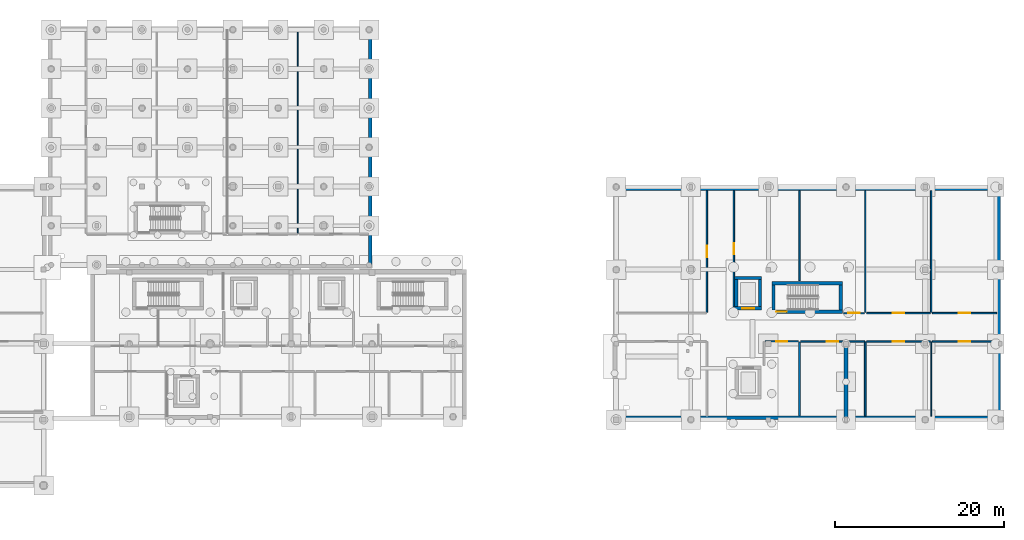
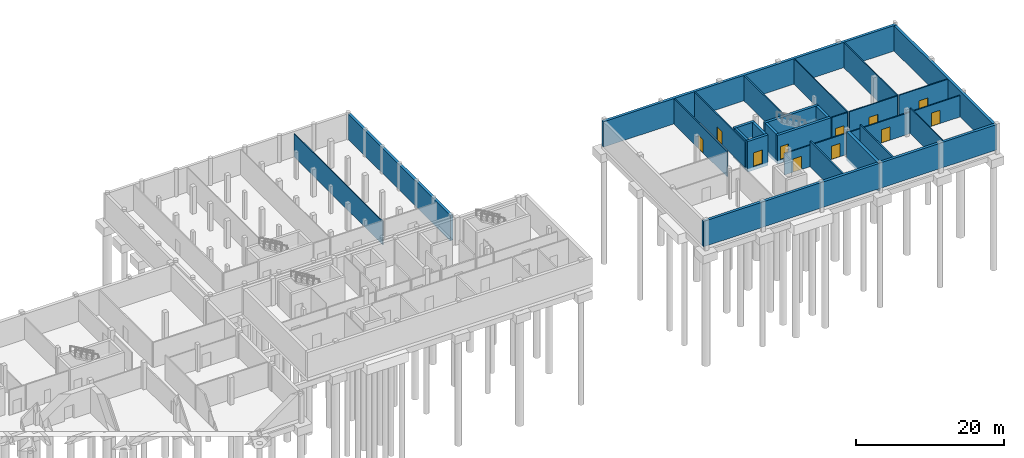
# One storey, part 9 of 14: 29 walls, 11 doors, 11 openings.
"""IFC4 building model written with IfcOpenShell, lengths in metres."""

from ifc_helpers import new_model, si_unit, direction, frame, frame_2d, origin, place, context, subcontext, project, spatial, rectangle, extrude, material, layer, layer_set, type_object, element, fill, save


model = new_model("IFC4")

# Units and contexts
model_context = context("Model", 3, precision=1e-05, world=origin(), true_north=direction((0.0, 1.0)))
body_context = subcontext(model_context, "Body", "Model", "MODEL_VIEW")
ifc_project = project(units=[si_unit("LENGTHUNIT", "METRE"), si_unit("AREAUNIT", "SQUARE_METRE"), si_unit("VOLUMEUNIT", "CUBIC_METRE"), si_unit("PLANEANGLEUNIT", "RADIAN"), si_unit("MASSUNIT", "GRAM", prefix="KILO")], contexts=[model_context])

# Site, building, storey
site_placement = place(None, origin())
site = spatial("IfcSite", under=ifc_project, at=site_placement, CompositionType="ELEMENT")
building_placement = place(site_placement, origin())
building = spatial("IfcBuilding", under=site, at=building_placement, Name="Birchvale Park Specialist Clinic", CompositionType="ELEMENT")
storey_placement = place(building_placement, frame((0.0, 0.0, -4.5)))
storey = spatial("IfcBuildingStorey", under=building, at=storey_placement, Name="B1", CompositionType="ELEMENT", Elevation=-4.5)

# Wall, opening, door
ifc_material_1 = material(Name="Concrete C40/50", Category="concrete")
ifc_layer_1 = layer(ifc_material_1, 0.39990234375)
ifc_layer_set_1 = layer_set([ifc_layer_1], Name="Concrete C40/50")
wall_type_1 = type_object("IfcWallType", Name="WL-CW-120", PredefinedType="SHEAR", material=ifc_layer_set_1)
wall_1_placement = place(storey_placement, frame((137.60009765625, 29.60009765625, -0.550048828125), z_axis=(0.0, 0.0, 1.0), x_axis=(1.0, 0.0, 0.0)))
wall_1 = element("IfcWall", 1, at=wall_1_placement, inside=storey, type_object=wall_type_1, Name="B1 stair ST6 EI 120 enclosure wall (south)", PredefinedType="SHEAR", context=body_context, shape_type="SweptSolid", body=[
    extrude(rectangle(XDim=8.39990234375, YDim=0.39990234375, at=frame_2d((4.199951171875, 0.0))), origin(), (0.0, 0.0, 1.0), 4.75),
])
opening_1_placement = place(wall_1_placement, frame((0.52001953125, 0.0, 0.550048828125)))
opening_1 = element("IfcOpeningElement", 2, at=opening_1_placement, cuts=wall_1, Name="Opening ID-FD60", PredefinedType="OPENING", context=body_context, shape_type="SweptSolid", body=[
    extrude(rectangle(XDim=1.25, YDim=2.199951171875, at=frame_2d((0.625, 1.10009765625))), frame((0.0, 0.2099609375, 0.0), z_axis=(0.0, -1.0, 0.0), x_axis=(1.0, 0.0, 0.0)), (0.0, 0.0, 1.0), 0.419921875),
])
ifc_material_2 = material(Name="Solid-core birch veneer and anodised aluminium", Category="aluminium")
door_type_1 = type_object("IfcDoorType", Name="DR-ID-FD60", OperationType="NOTDEFINED", PredefinedType="DOOR", material=ifc_material_2)
door_1_placement = place(opening_1_placement, origin())
door_1 = element("IfcDoor", 3, at=door_1_placement, inside=storey, type_object=door_type_1, Name="B1 stair ST6 fire door", OperationType="SINGLE_SWING_RIGHT", OverallHeight=2.199951171875, OverallWidth=1.25, PredefinedType="DOOR", context=body_context, shape_type="SweptSolid", body=[
    extrude(rectangle(XDim=1.25, YDim=2.199951171875, at=frame_2d((0.625, 1.10009765625))), frame((0.0, 0.02490234375, 0.0), z_axis=(0.0, -1.0, 0.0), x_axis=(1.0, 0.0, 0.0)), (0.0, 0.0, 1.0), 0.050048828125),
])
fill(opening_1, door_1)

# Walls
wall_2_placement = place(storey_placement, frame((146.0, 33.0, -0.550048828125), z_axis=(0.0, 0.0, 1.0), x_axis=(-1.0, 0.0, 0.0)))
element("IfcWall", 4, at=wall_2_placement, inside=storey, type_object=wall_type_1, Name="B1 stair ST6 EI 120 enclosure wall (north)", PredefinedType="SHEAR", context=body_context, shape_type="SweptSolid", body=[
    extrude(rectangle(XDim=8.39990234375, YDim=0.39990234375, at=frame_2d((4.199951171875, 0.0))), origin(), (0.0, 0.0, 1.0), 4.75),
])
for number, where, z_axis, x_axis, name in (
    (5, (137.800048828125, 29.800048828125, -0.550048828125), (0.0, 0.0, 1.0), (0.0, 1.0, 0.0), "B1 stair ST6 EI 120 enclosure wall (west)"),
    (6, (145.800048828125, 32.800048828125, -0.550048828125), (0.0, 0.0, 1.0), (0.0, -1.0, 0.0), "B1 stair ST6 EI 120 enclosure wall (east)"),
):
    element("IfcWall", number, at=place(storey_placement, frame(where, z_axis=z_axis, x_axis=x_axis)), inside=storey, type_object=wall_type_1, Name=name, PredefinedType="SHEAR", context=body_context, shape_type="SweptSolid", body=[
        extrude(rectangle(XDim=3.0, YDim=0.39990234375, at=frame_2d((1.5, 0.0))), origin(), (0.0, 0.0, 1.0), 4.75),
    ])

# Wall, opening, door
wall_3_placement = place(storey_placement, frame((133.199951171875, 30.0, -0.550048828125), z_axis=(0.0, 0.0, 1.0), x_axis=(1.0, 0.0, 0.0)))
wall_3 = element("IfcWall", 7, at=wall_3_placement, inside=storey, type_object=wall_type_1, Name="B1 lift LS2 shaft wall (south)", PredefinedType="SHEAR", context=body_context, shape_type="SweptSolid", body=[
    extrude(rectangle(XDim=3.199951171875, YDim=0.39990234375, at=frame_2d((1.60009765625, 0.0))), origin(), (0.0, 0.0, 1.0), 5.050048828125),
])
opening_2_placement = place(wall_3_placement, frame((0.89990234375, 0.0, 0.550048828125)))
opening_2 = element("IfcOpeningElement", 8, at=opening_2_placement, cuts=wall_3, Name="Opening LD-03", PredefinedType="OPENING", context=body_context, shape_type="SweptSolid", body=[
    extrude(rectangle(XDim=1.39990234375, YDim=2.300048828125, at=frame_2d((0.699951171875, 1.14990234375))), frame((0.0, 0.2099609375, 0.0), z_axis=(0.0, -1.0, 0.0), x_axis=(1.0, 0.0, 0.0)), (0.0, 0.0, 1.0), 0.419921875),
])
door_type_2 = type_object("IfcDoorType", Name="DR-LD-03", OperationType="DOUBLE_DOOR_SLIDING", PredefinedType="DOOR", material=ifc_material_2)
door_2_placement = place(opening_2_placement, origin())
door_2 = element("IfcDoor", 9, at=door_2_placement, inside=storey, type_object=door_type_2, Name="B1 lift LS2 sliding landing door", OperationType="DOUBLE_DOOR_SLIDING", OverallHeight=2.300048828125, OverallWidth=1.39990234375, PredefinedType="DOOR", context=body_context, shape_type="SweptSolid", body=[
    extrude(rectangle(XDim=1.39990234375, YDim=2.300048828125, at=frame_2d((0.699951171875, 1.14990234375))), frame((0.0, 0.02490234375, 0.0), z_axis=(0.0, -1.0, 0.0), x_axis=(1.0, 0.0, 0.0)), (0.0, 0.0, 1.0), 0.050048828125),
])
fill(opening_2, door_2)

# Walls
for number, where, z_axis, x_axis, name in (
    (10, (136.39990234375, 33.60009765625, -0.550048828125), (0.0, 0.0, 1.0), (-1.0, 0.0, 0.0), "B1 lift LS2 shaft wall (north)"),
    (11, (133.39990234375, 30.199951171875, -0.550048828125), (0.0, 0.0, 1.0), (0.0, 1.0, 0.0), "B1 lift LS2 shaft wall (west)"),
    (12, (136.199951171875, 33.39990234375, -0.550048828125), (0.0, 0.0, 1.0), (0.0, -1.0, 0.0), "B1 lift LS2 shaft wall (east)"),
):
    element("IfcWall", number, at=place(storey_placement, frame(where, z_axis=z_axis, x_axis=x_axis)), inside=storey, type_object=wall_type_1, Name=name, PredefinedType="SHEAR", context=body_context, shape_type="SweptSolid", body=[
        extrude(rectangle(XDim=3.199951171875, YDim=0.39990234375, at=frame_2d((1.60009765625, 0.0))), origin(), (0.0, 0.0, 1.0), 5.050048828125),
    ])
ifc_material_3 = material(Name="Acoustic gypsum board on metal framing")
ifc_layer_2 = layer(ifc_material_3, 0.1650390625)
ifc_layer_set_2 = layer_set([ifc_layer_2], Name="Acoustic gypsum board on metal framing")
wall_type_2 = type_object("IfcWallType", Name="WL-IW-01", PredefinedType="PARTITIONING", material=ifc_layer_set_2)
wall_4_placement = place(storey_placement, frame((156.489990234375, 43.9599609375, 0.0), z_axis=(0.0, 0.0, 1.0), x_axis=(0.0, -1.0, 0.0)))
element("IfcWall", 13, at=wall_4_placement, inside=storey, type_object=wall_type_2, Name="V5 B1 clinical partition 65", PredefinedType="PARTITIONING", context=body_context, shape_type="SweptSolid", body=[
    extrude(rectangle(XDim=14.429931640625, YDim=0.1650390625, at=frame_2d((7.21484375, 0.0))), origin(), (0.0, 0.0, 1.0), 4.199951171875),
])
ifc_layer_3 = layer(ifc_material_3, 0.14990234375)
ifc_layer_set_3 = layer_set([ifc_layer_3], Name="Acoustic gypsum board on metal framing")
wall_type_3 = type_object("IfcWallType", Name="WL-IW-02", PredefinedType="PARTITIONING", material=ifc_layer_set_3)
wall_5_placement = place(storey_placement, frame((148.679931640625, 43.9599609375, 0.0), z_axis=(0.0, 0.0, 1.0), x_axis=(0.0, -1.0, 0.0)))
element("IfcWall", 14, at=wall_5_placement, inside=storey, type_object=wall_type_3, Name="V5 B1 clinical partition 63", PredefinedType="PARTITIONING", context=body_context, shape_type="SweptSolid", body=[
    extrude(rectangle(XDim=14.429931640625, YDim=0.14990234375, at=frame_2d((7.21484375, 0.0))), origin(), (0.0, 0.0, 1.0), 4.199951171875),
])
ifc_layer_4 = layer(ifc_material_3, 0.125)
ifc_layer_set_4 = layer_set([ifc_layer_4], Name="Acoustic gypsum board on metal framing")
wall_type_4 = type_object("IfcWallType", Name="WL-IW-04", PredefinedType="PARTITIONING", material=ifc_layer_set_4)
wall_6_placement = place(storey_placement, frame((81.4150390625, 62.9599609375, 0.0), z_axis=(0.0, 0.0, 1.0), x_axis=(0.0, -1.0, 0.0)))
element("IfcWall", 15, at=wall_6_placement, inside=storey, type_object=wall_type_4, Name="V1 B1 clinical partition 6", PredefinedType="PARTITIONING", context=body_context, shape_type="SweptSolid", body=[
    extrude(rectangle(XDim=24.030029296875, YDim=0.125, at=frame_2d((12.01513671875, 0.0))), origin(), (0.0, 0.0, 1.0), 3.847900390625),
])
wall_7_placement = place(storey_placement, frame((156.489990234375, 26.02001953125, 0.0), z_axis=(0.0, 0.0, 1.0), x_axis=(0.0, -1.0, 0.0)))
element("IfcWall", 16, at=wall_7_placement, inside=storey, type_object=wall_type_4, Name="V5 B1 clinical partition 57", PredefinedType="PARTITIONING", context=body_context, shape_type="SweptSolid", body=[
    extrude(rectangle(XDim=8.780029296875, YDim=0.125, at=frame_2d((4.39013671875, 0.0))), origin(), (0.0, 0.0, 1.0), 4.199951171875),
])
ifc_layer_5 = layer(ifc_material_3, 0.195068359375)
ifc_layer_set_5 = layer_set([ifc_layer_5], Name="Acoustic gypsum board on metal framing")
wall_type_5 = type_object("IfcWallType", Name="WL-IW-07", PredefinedType="PARTITIONING", material=ifc_layer_set_5)
wall_8_placement = place(storey_placement, frame((148.679931640625, 26.02001953125, 0.0), z_axis=(0.0, 0.0, 1.0), x_axis=(0.0, -1.0, 0.0)))
element("IfcWall", 17, at=wall_8_placement, inside=storey, type_object=wall_type_5, Name="V5 B1 clinical partition 55", PredefinedType="PARTITIONING", context=body_context, shape_type="SweptSolid", body=[
    extrude(rectangle(XDim=8.780029296875, YDim=0.195068359375, at=frame_2d((4.39013671875, 0.0))), origin(), (0.0, 0.0, 1.0), 4.199951171875),
])
wall_9_placement = place(storey_placement, frame((140.8701171875, 43.9599609375, 0.0), z_axis=(0.0, 0.0, 1.0), x_axis=(0.0, -1.0, 0.0)))
element("IfcWall", 18, at=wall_9_placement, inside=storey, type_object=wall_type_5, Name="V5 B1 clinical partition 62", PredefinedType="PARTITIONING", context=body_context, shape_type="SweptSolid", body=[
    extrude(rectangle(XDim=10.659912109375, YDim=0.195068359375, at=frame_2d((5.330078125, 0.0))), origin(), (0.0, 0.0, 1.0), 4.199951171875),
])
ifc_layer_6 = layer(ifc_material_3, 0.239990234375)
ifc_layer_set_6 = layer_set([ifc_layer_6], Name="Acoustic gypsum board on metal framing")
wall_type_6 = type_object("IfcWallType", Name="WL-IW-08", PredefinedType="PARTITIONING", material=ifc_layer_set_6)
wall_10_placement = place(storey_placement, frame((140.8701171875, 26.02001953125, 0.0), z_axis=(0.0, 0.0, 1.0), x_axis=(0.0, -1.0, 0.0)))
element("IfcWall", 19, at=wall_10_placement, inside=storey, type_object=wall_type_6, Name="V5 B1 clinical partition 53", PredefinedType="PARTITIONING", context=body_context, shape_type="SweptSolid", body=[
    extrude(rectangle(XDim=8.780029296875, YDim=0.239990234375, at=frame_2d((4.39013671875, 0.0))), origin(), (0.0, 0.0, 1.0), 4.199951171875),
])

# Wall, opening, door
ifc_layer_7 = layer(ifc_material_3, 0.179931640625)
ifc_layer_set_7 = layer_set([ifc_layer_7], Name="Acoustic gypsum board on metal framing")
wall_type_7 = type_object("IfcWallType", Name="WL-IW-60", PredefinedType="PARTITIONING", material=ifc_layer_set_7)
wall_11_placement = place(storey_placement, frame((136.780029296875, 26.10009765625, 0.0), z_axis=(0.0, 0.0, 1.0), x_axis=(1.0, 0.0, 0.0)))
wall_11 = element("IfcWall", 20, at=wall_11_placement, inside=storey, type_object=wall_type_7, Name="V5 B1 clinical partition 52", PredefinedType="PARTITIONING", context=body_context, shape_type="SweptSolid", body=[
    extrude(rectangle(XDim=4.010009765625, YDim=0.179931640625, at=frame_2d((2.0048828125, 0.0))), origin(), (0.0, 0.0, 1.0), 3.534912109375),
])
opening_3_placement = place(wall_11_placement, frame((1.330078125, 0.0, 0.0)))
opening_3 = element("IfcOpeningElement", 21, at=opening_3_placement, cuts=wall_11, Name="Opening ID-FD30", PredefinedType="OPENING", context=body_context, shape_type="SweptSolid", body=[
    extrude(rectangle(XDim=1.35009765625, YDim=2.199951171875, at=frame_2d((0.675048828125, 1.10009765625))), frame((0.0, 0.10009765625, 0.0), z_axis=(0.0, -1.0, 0.0), x_axis=(1.0, 0.0, 0.0)), (0.0, 0.0, 1.0), 0.199951171875),
])
door_type_3 = type_object("IfcDoorType", Name="DR-ID-FD30", OperationType="NOTDEFINED", PredefinedType="DOOR", material=ifc_material_2)
door_3_placement = place(opening_3_placement, origin())
door_3 = element("IfcDoor", 22, at=door_3_placement, inside=storey, type_object=door_type_3, Name="B1 Central Sterilization Autoclave Room door", OperationType="SINGLE_SWING_RIGHT", OverallHeight=2.199951171875, OverallWidth=1.35009765625, PredefinedType="DOOR", context=body_context, shape_type="SweptSolid", body=[
    extrude(rectangle(XDim=1.35009765625, YDim=2.199951171875, at=frame_2d((0.675048828125, 1.10009765625))), frame((0.0, 0.02490234375, 0.0), z_axis=(0.0, -1.0, 0.0), x_axis=(1.0, 0.0, 0.0)), (0.0, 0.0, 1.0), 0.050048828125),
])
fill(opening_3, door_3)

wall_12_placement = place(storey_placement, frame((141.030029296875, 26.10009765625, 0.0), z_axis=(0.0, 0.0, 1.0), x_axis=(1.0, 0.0, 0.0)))
wall_12 = element("IfcWall", 23, at=wall_12_placement, inside=storey, type_object=wall_type_7, Name="V5 B1 clinical partition 54", PredefinedType="PARTITIONING", context=body_context, shape_type="SweptSolid", body=[
    extrude(rectangle(XDim=7.570068359375, YDim=0.179931640625, at=frame_2d((3.78515625, 0.0))), origin(), (0.0, 0.0, 1.0), 3.534912109375),
])
opening_4_placement = place(wall_12_placement, frame((3.110107421875, 0.0, 0.0)))
opening_4 = element("IfcOpeningElement", 24, at=opening_4_placement, cuts=wall_12, Name="Opening ID-FD30", PredefinedType="OPENING", context=body_context, shape_type="SweptSolid", body=[
    extrude(rectangle(XDim=1.35009765625, YDim=2.199951171875, at=frame_2d((0.675048828125, 1.10009765625))), frame((0.0, 0.10009765625, 0.0), z_axis=(0.0, -1.0, 0.0), x_axis=(1.0, 0.0, 0.0)), (0.0, 0.0, 1.0), 0.199951171875),
])
door_4_placement = place(opening_4_placement, origin())
door_4 = element("IfcDoor", 25, at=door_4_placement, inside=storey, type_object=door_type_3, Name="B1 Clean Linen & Pharmacy Store door", OperationType="SINGLE_SWING_LEFT", OverallHeight=2.199951171875, OverallWidth=1.35009765625, PredefinedType="DOOR", context=body_context, shape_type="SweptSolid", body=[
    extrude(rectangle(XDim=1.35009765625, YDim=2.199951171875, at=frame_2d((0.675048828125, 1.10009765625))), frame((0.0, 0.02490234375, 0.0), z_axis=(0.0, -1.0, 0.0), x_axis=(1.0, 0.0, 0.0)), (0.0, 0.0, 1.0), 0.050048828125),
])
fill(opening_4, door_4)

wall_13_placement = place(storey_placement, frame((148.840087890625, 26.10009765625, 0.0), z_axis=(0.0, 0.0, 1.0), x_axis=(1.0, 0.0, 0.0)))
wall_13 = element("IfcWall", 26, at=wall_13_placement, inside=storey, type_object=wall_type_7, Name="V5 B1 clinical partition 56", PredefinedType="PARTITIONING", context=body_context, shape_type="SweptSolid", body=[
    extrude(rectangle(XDim=7.56982421875, YDim=0.179931640625, at=frame_2d((3.784912109375, 0.0))), origin(), (0.0, 0.0, 1.0), 3.534912109375),
])
opening_5_placement = place(wall_13_placement, frame((3.110107421875, 0.0, 0.0)))
opening_5 = element("IfcOpeningElement", 27, at=opening_5_placement, cuts=wall_13, Name="Opening ID-FD30", PredefinedType="OPENING", context=body_context, shape_type="SweptSolid", body=[
    extrude(rectangle(XDim=1.35009765625, YDim=2.199951171875, at=frame_2d((0.675048828125, 1.10009765625))), frame((0.0, 0.10009765625, 0.0), z_axis=(0.0, -1.0, 0.0), x_axis=(1.0, 0.0, 0.0)), (0.0, 0.0, 1.0), 0.199951171875),
])
door_5_placement = place(opening_5_placement, origin())
door_5 = element("IfcDoor", 28, at=door_5_placement, inside=storey, type_object=door_type_3, Name="B1 Central MEP Plant Room door", OperationType="SINGLE_SWING_RIGHT", OverallHeight=2.199951171875, OverallWidth=1.35009765625, PredefinedType="DOOR", context=body_context, shape_type="SweptSolid", body=[
    extrude(rectangle(XDim=1.35009765625, YDim=2.199951171875, at=frame_2d((0.675048828125, 1.10009765625))), frame((0.0, 0.02490234375, 0.0), z_axis=(0.0, -1.0, 0.0), x_axis=(1.0, 0.0, 0.0)), (0.0, 0.0, 1.0), 0.050048828125),
])
fill(opening_5, door_5)

wall_14_placement = place(storey_placement, frame((156.64990234375, 26.10009765625, 0.0), z_axis=(0.0, 0.0, 1.0), x_axis=(1.0, 0.0, 0.0)))
wall_14 = element("IfcWall", 29, at=wall_14_placement, inside=storey, type_object=wall_type_7, Name="V5 B1 clinical partition 58", PredefinedType="PARTITIONING", context=body_context, shape_type="SweptSolid", body=[
    extrude(rectangle(XDim=7.610107421875, YDim=0.179931640625, at=frame_2d((3.80517578125, 0.0))), origin(), (0.0, 0.0, 1.0), 3.534912109375),
])
opening_6_placement = place(wall_14_placement, frame((3.1298828125, 0.0, 0.0)))
opening_6 = element("IfcOpeningElement", 30, at=opening_6_placement, cuts=wall_14, Name="Opening ID-FD30", PredefinedType="OPENING", context=body_context, shape_type="SweptSolid", body=[
    extrude(rectangle(XDim=1.35009765625, YDim=2.199951171875, at=frame_2d((0.675048828125, 1.10009765625))), frame((0.0, 0.10009765625, 0.0), z_axis=(0.0, -1.0, 0.0), x_axis=(1.0, 0.0, 0.0)), (0.0, 0.0, 1.0), 0.199951171875),
])
door_6_placement = place(opening_6_placement, origin())
door_6 = element("IfcDoor", 31, at=door_6_placement, inside=storey, type_object=door_type_3, Name="B1 Electrical Switchgear Room door", OperationType="SINGLE_SWING_LEFT", OverallHeight=2.199951171875, OverallWidth=1.35009765625, PredefinedType="DOOR", context=body_context, shape_type="SweptSolid", body=[
    extrude(rectangle(XDim=1.35009765625, YDim=2.199951171875, at=frame_2d((0.675048828125, 1.10009765625))), frame((0.0, 0.02490234375, 0.0), z_axis=(0.0, -1.0, 0.0), x_axis=(1.0, 0.0, 0.0)), (0.0, 0.0, 1.0), 0.050048828125),
])
fill(opening_6, door_6)

wall_15_placement = place(storey_placement, frame((129.89990234375, 43.9599609375, 0.0), z_axis=(0.0, 0.0, 1.0), x_axis=(0.0, -1.0, 0.0)))
wall_15 = element("IfcWall", 32, at=wall_15_placement, inside=storey, type_object=wall_type_7, Name="V5 B1 clinical partition 60", PredefinedType="PARTITIONING", context=body_context, shape_type="SweptSolid", body=[
    extrude(rectangle(XDim=14.429931640625, YDim=0.179931640625, at=frame_2d((7.21484375, 0.0))), origin(), (0.0, 0.0, 1.0), 4.199951171875),
])
opening_7_placement = place(wall_15_placement, frame((6.5400390625, 0.0, 0.0)))
opening_7 = element("IfcOpeningElement", 33, at=opening_7_placement, cuts=wall_15, Name="Opening ID-FD30", PredefinedType="OPENING", context=body_context, shape_type="SweptSolid", body=[
    extrude(rectangle(XDim=1.35009765625, YDim=2.199951171875, at=frame_2d((0.675048828125, 1.10009765625))), frame((0.0, 0.10009765625, 0.0), z_axis=(0.0, -1.0, 0.0), x_axis=(1.0, 0.0, 0.0)), (0.0, 0.0, 1.0), 0.199951171875),
])
door_7_placement = place(opening_7_placement, origin())
door_7 = element("IfcDoor", 34, at=door_7_placement, inside=storey, type_object=door_type_3, Name="B1 Sterile Supply Store door", OperationType="SINGLE_SWING_RIGHT", OverallHeight=2.199951171875, OverallWidth=1.35009765625, PredefinedType="DOOR", context=body_context, shape_type="SweptSolid", body=[
    extrude(rectangle(XDim=1.35009765625, YDim=2.199951171875, at=frame_2d((0.675048828125, 1.10009765625))), frame((0.0, 0.02490234375, 0.0), z_axis=(0.0, -1.0, 0.0), x_axis=(1.0, 0.0, 0.0)), (0.0, 0.0, 1.0), 0.050048828125),
])
fill(opening_7, door_7)

wall_16_placement = place(storey_placement, frame((133.10009765625, 30.179931640625, 0.0), z_axis=(0.0, 0.0, 1.0), x_axis=(0.0, 1.0, 0.0)))
wall_16 = element("IfcWall", 35, at=wall_16_placement, inside=storey, type_object=wall_type_7, Name="V5 B1 clinical partition 61", PredefinedType="PARTITIONING", context=body_context, shape_type="SweptSolid", body=[
    extrude(rectangle(XDim=13.780029296875, YDim=0.179931640625, at=frame_2d((6.89013671875, 0.0))), origin(), (0.0, 0.0, 1.0), 4.199951171875),
])
opening_8_placement = place(wall_16_placement, frame((6.215087890625, 0.0, 0.0)))
opening_8 = element("IfcOpeningElement", 36, at=opening_8_placement, cuts=wall_16, Name="Opening ID-FD30", PredefinedType="OPENING", context=body_context, shape_type="SweptSolid", body=[
    extrude(rectangle(XDim=1.35009765625, YDim=2.199951171875, at=frame_2d((0.675048828125, 1.10009765625))), frame((0.0, 0.10009765625, 0.0), z_axis=(0.0, -1.0, 0.0), x_axis=(1.0, 0.0, 0.0)), (0.0, 0.0, 1.0), 0.199951171875),
])
door_8_placement = place(opening_8_placement, origin())
door_8 = element("IfcDoor", 37, at=door_8_placement, inside=storey, type_object=door_type_3, Name="B1 Sterile Supply Store door", OperationType="SINGLE_SWING_LEFT", OverallHeight=2.199951171875, OverallWidth=1.35009765625, PredefinedType="DOOR", context=body_context, shape_type="SweptSolid", body=[
    extrude(rectangle(XDim=1.35009765625, YDim=2.199951171875, at=frame_2d((0.675048828125, 1.10009765625))), frame((0.0, 0.02490234375, 0.0), z_axis=(0.0, -1.0, 0.0), x_axis=(1.0, 0.0, 0.0)), (0.0, 0.0, 1.0), 0.050048828125),
])
fill(opening_8, door_8)

wall_17_placement = place(storey_placement, frame((148.60009765625, 29.449951171875, 0.0), z_axis=(0.0, 0.0, 1.0), x_axis=(-1.0, 0.0, 0.0)))
wall_17 = element("IfcWall", 38, at=wall_17_placement, inside=storey, type_object=wall_type_7, Name="V5 B1 clinical partition 64", PredefinedType="PARTITIONING", context=body_context, shape_type="SweptSolid", body=[
    extrude(rectangle(XDim=2.5, YDim=0.179931640625, at=frame_2d((1.25, 0.0))), origin(), (0.0, 0.0, 1.0), 4.199951171875),
])
opening_9_placement = place(wall_17_placement, frame((0.574951171875, 0.0, 0.0)))
opening_9 = element("IfcOpeningElement", 39, at=opening_9_placement, cuts=wall_17, Name="Opening ID-FD30", PredefinedType="OPENING", context=body_context, shape_type="SweptSolid", body=[
    extrude(rectangle(XDim=1.35009765625, YDim=2.199951171875, at=frame_2d((0.675048828125, 1.10009765625))), frame((0.0, 0.10009765625, 0.0), z_axis=(0.0, -1.0, 0.0), x_axis=(1.0, 0.0, 0.0)), (0.0, 0.0, 1.0), 0.199951171875),
])
door_9_placement = place(opening_9_placement, origin())
door_9 = element("IfcDoor", 40, at=door_9_placement, inside=storey, type_object=door_type_3, Name="B1 Central Sterilization Autoclave Room door", OperationType="SINGLE_SWING_RIGHT", OverallHeight=2.199951171875, OverallWidth=1.35009765625, PredefinedType="DOOR", context=body_context, shape_type="SweptSolid", body=[
    extrude(rectangle(XDim=1.35009765625, YDim=2.199951171875, at=frame_2d((0.675048828125, 1.10009765625))), frame((0.0, 0.02490234375, 0.0), z_axis=(0.0, -1.0, 0.0), x_axis=(1.0, 0.0, 0.0)), (0.0, 0.0, 1.0), 0.050048828125),
])
fill(opening_9, door_9)

wall_18_placement = place(storey_placement, frame((156.409912109375, 29.449951171875, 0.0), z_axis=(0.0, 0.0, 1.0), x_axis=(-1.0, 0.0, 0.0)))
wall_18 = element("IfcWall", 41, at=wall_18_placement, inside=storey, type_object=wall_type_7, Name="V5 B1 clinical partition 66", PredefinedType="PARTITIONING", context=body_context, shape_type="SweptSolid", body=[
    extrude(rectangle(XDim=7.56982421875, YDim=0.179931640625, at=frame_2d((3.784912109375, 0.0))), origin(), (0.0, 0.0, 1.0), 4.199951171875),
])
opening_10_placement = place(wall_18_placement, frame((3.110107421875, 0.0, 0.0)))
opening_10 = element("IfcOpeningElement", 42, at=opening_10_placement, cuts=wall_18, Name="Opening ID-FD30", PredefinedType="OPENING", context=body_context, shape_type="SweptSolid", body=[
    extrude(rectangle(XDim=1.35009765625, YDim=2.199951171875, at=frame_2d((0.675048828125, 1.10009765625))), frame((0.0, 0.10009765625, 0.0), z_axis=(0.0, -1.0, 0.0), x_axis=(1.0, 0.0, 0.0)), (0.0, 0.0, 1.0), 0.199951171875),
])
door_10_placement = place(opening_10_placement, origin())
door_10 = element("IfcDoor", 43, at=door_10_placement, inside=storey, type_object=door_type_3, Name="B1 Clean Linen & Pharmacy Store door", OperationType="SINGLE_SWING_LEFT", OverallHeight=2.199951171875, OverallWidth=1.35009765625, PredefinedType="DOOR", context=body_context, shape_type="SweptSolid", body=[
    extrude(rectangle(XDim=1.35009765625, YDim=2.199951171875, at=frame_2d((0.675048828125, 1.10009765625))), frame((0.0, 0.02490234375, 0.0), z_axis=(0.0, -1.0, 0.0), x_axis=(1.0, 0.0, 0.0)), (0.0, 0.0, 1.0), 0.050048828125),
])
fill(opening_10, door_10)

wall_19_placement = place(storey_placement, frame((164.260009765625, 29.449951171875, 0.0), z_axis=(0.0, 0.0, 1.0), x_axis=(-1.0, 0.0, 0.0)))
wall_19 = element("IfcWall", 44, at=wall_19_placement, inside=storey, type_object=wall_type_7, Name="V5 B1 clinical partition 67", PredefinedType="PARTITIONING", context=body_context, shape_type="SweptSolid", body=[
    extrude(rectangle(XDim=7.610107421875, YDim=0.179931640625, at=frame_2d((3.80517578125, 0.0))), origin(), (0.0, 0.0, 1.0), 4.199951171875),
])
opening_11_placement = place(wall_19_placement, frame((3.1298828125, 0.0, 0.0)))
opening_11 = element("IfcOpeningElement", 45, at=opening_11_placement, cuts=wall_19, Name="Opening ID-FD30", PredefinedType="OPENING", context=body_context, shape_type="SweptSolid", body=[
    extrude(rectangle(XDim=1.35009765625, YDim=2.199951171875, at=frame_2d((0.675048828125, 1.10009765625))), frame((0.0, 0.10009765625, 0.0), z_axis=(0.0, -1.0, 0.0), x_axis=(1.0, 0.0, 0.0)), (0.0, 0.0, 1.0), 0.199951171875),
])
door_11_placement = place(opening_11_placement, origin())
door_11 = element("IfcDoor", 46, at=door_11_placement, inside=storey, type_object=door_type_3, Name="B1 Central MEP Plant Room door", OperationType="SINGLE_SWING_RIGHT", OverallHeight=2.199951171875, OverallWidth=1.35009765625, PredefinedType="DOOR", context=body_context, shape_type="SweptSolid", body=[
    extrude(rectangle(XDim=1.35009765625, YDim=2.199951171875, at=frame_2d((0.675048828125, 1.10009765625))), frame((0.0, 0.02490234375, 0.0), z_axis=(0.0, -1.0, 0.0), x_axis=(1.0, 0.0, 0.0)), (0.0, 0.0, 1.0), 0.050048828125),
])
fill(opening_11, door_11)

# Walls
ifc_layer_8 = layer(ifc_material_1, 0.419921875)
ifc_layer_set_8 = layer_set([ifc_layer_8], Name="Concrete C40/50")
wall_type_8 = type_object("IfcWallType", Name="WL-RW-420", PredefinedType="SHEAR", material=ifc_layer_set_8)
wall_20_placement = place(storey_placement, frame((89.989990234375, 62.97998046875, 0.0), z_axis=(0.0, 0.0, 1.0), x_axis=(0.0, -1.0, 0.0)))
element("IfcWall", 47, at=wall_20_placement, inside=storey, type_object=wall_type_8, Name="V1 B1 retaining wall 1.4", PredefinedType="SHEAR", context=body_context, shape_type="SweptSolid", body=[
    extrude(rectangle(XDim=27.760009765625, YDim=0.419921875, at=frame_2d((13.8798828125, 0.0))), origin(), (0.0, 0.0, 1.0), 4.179931640625),
])
for number, where, z_axis, x_axis, name in (
    (48, (118.800048828125, 17.010009765625, 0.0), (0.0, 0.0, 1.0), (1.0, 0.0, 0.0), "V5 B1 retaining wall 1.1"),
    (49, (164.699951171875, 44.18994140625, 0.0), (0.0, 0.0, 1.0), (-1.0, 0.0, 0.0), "V5 B1 retaining wall 1.2"),
):
    element("IfcWall", number, at=place(storey_placement, frame(where, z_axis=z_axis, x_axis=x_axis)), inside=storey, type_object=wall_type_8, Name=name, PredefinedType="SHEAR", context=body_context, shape_type="SweptSolid", body=[
        extrude(rectangle(XDim=45.89990234375, YDim=0.419921875, at=frame_2d((22.949951171875, 0.0))), origin(), (0.0, 0.0, 1.0), 4.199951171875),
    ])
wall_21_placement = place(storey_placement, frame((164.489990234375, 43.97998046875, 0.0), z_axis=(0.0, 0.0, 1.0), x_axis=(0.0, -1.0, 0.0)))
element("IfcWall", 50, at=wall_21_placement, inside=storey, type_object=wall_type_8, Name="V5 B1 retaining wall 1.4", PredefinedType="SHEAR", context=body_context, shape_type="SweptSolid", body=[
    extrude(rectangle(XDim=26.760009765625, YDim=0.419921875, at=frame_2d((13.3798828125, 0.0))), origin(), (0.0, 0.0, 1.0), 4.199951171875),
])
ifc_layer_9 = layer(ifc_material_1, 0.449951171875)
ifc_layer_set_9 = layer_set([ifc_layer_9], Name="Concrete C40/50")
wall_type_9 = type_object("IfcWallType", Name="WL-SW-450", PredefinedType="SHEAR", material=ifc_layer_set_9)
wall_22_placement = place(storey_placement, frame((146.39990234375, 17.074951171875, -0.550048828125), z_axis=(0.0, 0.0, 1.0), x_axis=(0.0, 1.0, 0.0)))
element("IfcWall", 51, at=wall_22_placement, inside=storey, type_object=wall_type_9, Name="V5 B1 coupled seismic shear wall 11", PredefinedType="SHEAR", context=body_context, shape_type="SweptSolid", body=[
    extrude(rectangle(XDim=8.425048828125, YDim=0.449951171875, at=frame_2d((4.21240234375, 0.0))), origin(), (0.0, 0.0, 1.0), 4.75),
])

save(model, "model.ifc")
